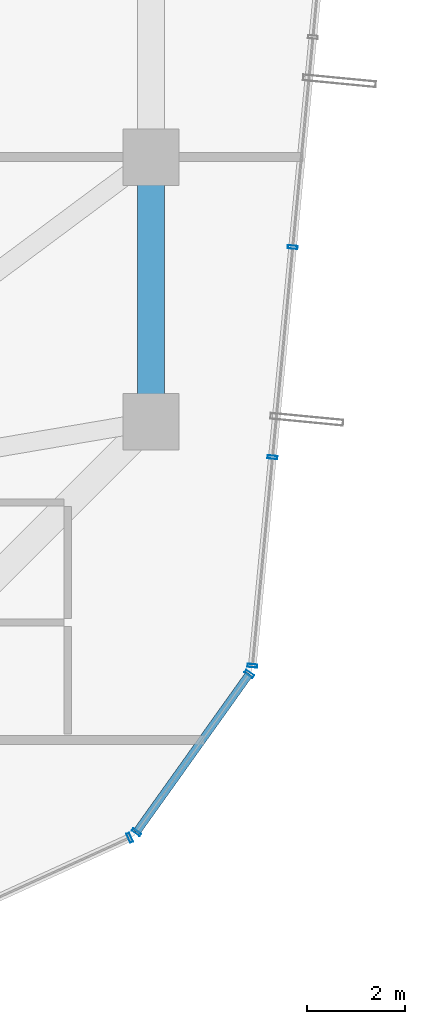
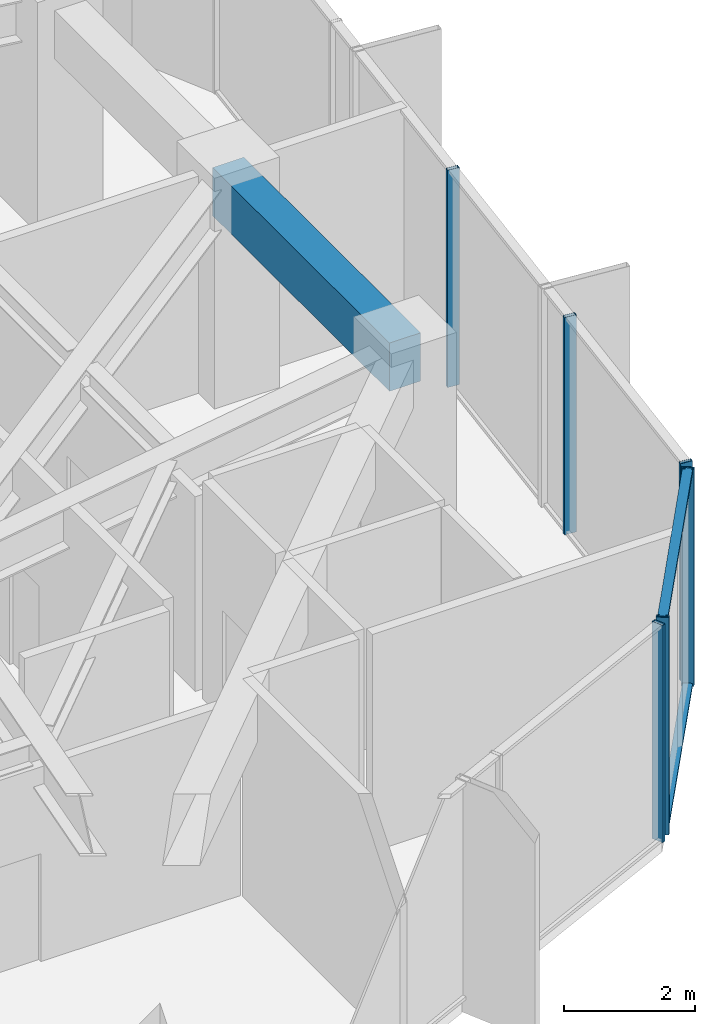
# One storey, part 12 of 25: 8 members, 1 beam, 3 elements without a shape of their own.
"""IFC4 building model written with IfcOpenShell, lengths in metres."""

from ifc_helpers import new_model, si_unit, direction, frame, origin, origin_2d, place, context, subcontext, project, spatial, rectangle, hollow_rectangle, extrude, source, transform, mapped, material, layer, layer_set, material_profile, profile_set, type_object, element, aggregate, save


model = new_model("IFC4")

# Units and contexts
model_context = context("Model", 3, precision=1e-05, world=origin(), true_north=direction((0.0, 1.0)))
body_context = subcontext(model_context, "Body", "Model", "MODEL_VIEW")
ifc_project = project(units=[si_unit("LENGTHUNIT", "METRE"), si_unit("AREAUNIT", "SQUARE_METRE"), si_unit("VOLUMEUNIT", "CUBIC_METRE"), si_unit("PLANEANGLEUNIT", "RADIAN"), si_unit("MASSUNIT", "GRAM", prefix="KILO")], contexts=[model_context])

# Site, building, storey
site_placement = place(None, origin())
site = spatial("IfcSite", under=ifc_project, at=site_placement, CompositionType="ELEMENT")
building_placement = place(site_placement, origin())
building = spatial("IfcBuilding", under=site, at=building_placement, Name="Veraguas Prism Commons", CompositionType="ELEMENT")
storey_placement = place(building_placement, frame((0.0, 0.0, 108.949951171875)))
storey = spatial("IfcBuildingStorey", under=building, at=storey_placement, Name="L30", CompositionType="ELEMENT", Elevation=108.949951171875)

# Beam
ifc_material_1 = material(Name="Concrete C50/60", Category="concrete")
ifc_material_profile_1 = material_profile(ifc_material_1, rectangle(XDim=0.550048828125, YDim=0.89990234375, at=origin_2d()), Name="RC550X900")
ifc_profile_set_1 = profile_set([ifc_material_profile_1], Name="Concrete C50/60")
beam_type = type_object("IfcBeamType", Name="Perimeter Spandrel Lower RC 550x900", PredefinedType="SPANDREL", material=ifc_profile_set_1)
beam_placement = place(storey_placement, frame((40.199951171875, 18.60009765625, 3.60009765625), z_axis=(0.0, 1.0, 0.0), x_axis=(-1.0, 0.0, 0.0)))
element("IfcBeam", 1, at=beam_placement, inside=storey, type_object=beam_type, Name="Perimeter Spandrel Beam L30-SP01", PredefinedType="SPANDREL", context=body_context, shape_type="SweptSolid", body=[
    extrude(rectangle(XDim=0.550048828125, YDim=0.89990234375, at=origin_2d()), origin(), (0.0, 0.0, 1.0), 5.39990234375),
])

# Curtain wall, member
ifc_material_2 = material(Name="Anodised aluminium EN AW-6063 T6", Category="aluminium")
ifc_layer = layer(ifc_material_2, 0.199951171875, Name="Sky Lobby and Pool Acoustic Curtain Wall", Category="aluminium")
ifc_layer_set = layer_set([ifc_layer], Name="Anodised aluminium EN AW-6063 T6")
curtain_wall_type = type_object("IfcCurtainWallType", Name="Sky Lobby and Pool Acoustic Curtain Wall", PredefinedType="NOTDEFINED", material=ifc_layer_set)
curtain_wall_1_placement = place(storey_placement, origin())
curtain_wall_1 = element("IfcCurtainWall", 2, at=curtain_wall_1_placement, inside=storey, type_object=curtain_wall_type, Name="Tower Facade Curtain Wall L30-F5", PredefinedType="NOTDEFINED")
ifc_material_profile_2 = material_profile(ifc_material_2, hollow_rectangle(XDim=0.06494140625, YDim=0.199951171875, WallThickness=0.00390625, at=origin_2d()), Name="AL65X200X4")
ifc_profile_set_2 = profile_set([ifc_material_profile_2], Name="Anodised aluminium EN AW-6063 T6")
member_type_1 = type_object("IfcMemberType", Name="Curtain Wall Mullion Heavy AL 65x200x4", PredefinedType="MULLION", material=ifc_profile_set_2)
shared_shape_1 = source(origin(), body_context, "Body", "SweptSolid", [
    extrude(hollow_rectangle(XDim=0.06494140625, YDim=0.199951171875, WallThickness=0.00390625, at=origin_2d()), origin(), (0.0, 0.0, 1.0), 4.050048828125),
])
member_1_placement = place(storey_placement, frame((39.7666015625, 10.104736328125, 0.0), z_axis=(0.0, 0.0, 1.0), x_axis=(0.909960547099, 0.414694830838, 0.0)))
member_1 = element("IfcMember", 3, at=member_1_placement, type_object=member_type_1, Name="CW-SKY Mullion 5", PredefinedType="MULLION", context=body_context, shape_type="MappedRepresentation", body=[
    mapped(shared_shape_1, transform((0.0, 0.0, 0.0), scale=1.0)),
])
aggregate(curtain_wall_1, [member_1])

# Curtain wall, members
curtain_wall_2_placement = place(storey_placement, origin())
curtain_wall_2 = element("IfcCurtainWall", 4, at=curtain_wall_2_placement, inside=storey, type_object=curtain_wall_type, Name="Tower Facade Curtain Wall L30-F6", PredefinedType="NOTDEFINED")
member_2_placement = place(storey_placement, frame((42.271484375, 13.6162109375, 0.0), z_axis=(0.0, 0.0, 1.0), x_axis=(0.095837066046, 0.995397034741, 0.0)))
member_2 = element("IfcMember", 5, at=member_2_placement, type_object=member_type_1, Name="CW-SKY Mullion 1", PredefinedType="MULLION", context=body_context, shape_type="MappedRepresentation", body=[
    mapped(shared_shape_1, transform((0.0, 0.0, 0.0), scale=1.0)),
])
member_3_placement = place(storey_placement, frame((42.68115234375, 17.87255859375, 0.0), z_axis=(0.0, 0.0, 1.0), x_axis=(0.095837066046, 0.995397034741, 0.0)))
member_3 = element("IfcMember", 6, at=member_3_placement, type_object=member_type_1, Name="CW-SKY Mullion 2", PredefinedType="MULLION", context=body_context, shape_type="MappedRepresentation", body=[
    mapped(shared_shape_1, transform((0.0, 0.0, 0.0), scale=1.0)),
])
member_4_placement = place(storey_placement, frame((43.09423828125, 22.161376953125, 0.0), z_axis=(0.0, 0.0, 1.0), x_axis=(0.095837066046, 0.995397034741, 0.0)))
member_4 = element("IfcMember", 7, at=member_4_placement, type_object=member_type_1, Name="CW-SKY Mullion 3", PredefinedType="MULLION", context=body_context, shape_type="MappedRepresentation", body=[
    mapped(shared_shape_1, transform((0.0, 0.0, 0.0), scale=1.0)),
])
aggregate(curtain_wall_2, [member_2, member_3, member_4])

curtain_wall_3_placement = place(storey_placement, origin())
curtain_wall_3 = element("IfcCurtainWall", 8, at=curtain_wall_3_placement, inside=storey, type_object=curtain_wall_type, Name="Chamfer Curtain Wall L30-C6", PredefinedType="NOTDEFINED")
member_5_placement = place(storey_placement, frame((39.904296875, 10.21826171875, 0.0), z_axis=(0.0, 0.0, 1.0), x_axis=(0.580720006379, 0.814103355964, 0.0)))
member_5 = element("IfcMember", 9, at=member_5_placement, type_object=member_type_1, Name="CW-SKY Mullion 1", PredefinedType="MULLION", context=body_context, shape_type="MappedRepresentation", body=[
    mapped(shared_shape_1, transform((0.0, 0.0, 0.0), scale=1.0)),
])
member_6_placement = place(storey_placement, frame((42.208740234375, 13.448974609375, 0.0), z_axis=(0.0, 0.0, 1.0), x_axis=(0.580720006379, 0.814103355964, 0.0)))
member_6 = element("IfcMember", 10, at=member_6_placement, type_object=member_type_1, Name="CW-SKY Mullion 2", PredefinedType="MULLION", context=body_context, shape_type="MappedRepresentation", body=[
    mapped(shared_shape_1, transform((0.0, 0.0, 0.0), scale=1.0)),
])
ifc_material_profile_3 = material_profile(ifc_material_2, hollow_rectangle(XDim=0.06005859375, YDim=0.159912109375, WallThickness=0.0029296875, at=origin_2d()), Name="AL60X160X3")
ifc_profile_set_3 = profile_set([ifc_material_profile_3], Name="Anodised aluminium EN AW-6063 T6")
member_type_2 = type_object("IfcMemberType", Name="Curtain Wall Transom Heavy AL 60x160x3", PredefinedType="USERDEFINED", material=ifc_profile_set_3)
shared_shape_2 = source(origin(), body_context, "Body", "SweptSolid", [
    extrude(hollow_rectangle(XDim=0.06005859375, YDim=0.159912109375, WallThickness=0.0029296875, at=origin_2d()), origin(), (0.0, 0.0, 1.0), 3.96826171875),
])
member_7_placement = place(storey_placement, frame((39.904296875, 10.21826171875, 0.030029296875), z_axis=(0.580702663453, 0.814115726822, 0.0), x_axis=(0.0, 0.0, 1.0)))
member_7 = element("IfcMember", 11, at=member_7_placement, type_object=member_type_2, Name="CW-SKY Transom 1", ObjectType="TRANSOM", PredefinedType="USERDEFINED", context=body_context, shape_type="MappedRepresentation", body=[
    mapped(shared_shape_2, transform((0.0, 0.0, 0.0), scale=1.0)),
])
member_8_placement = place(storey_placement, frame((39.904296875, 10.21826171875, 4.02001953125), z_axis=(0.580702663453, 0.814115726822, 0.0), x_axis=(0.0, 0.0, 1.0)))
member_8 = element("IfcMember", 12, at=member_8_placement, type_object=member_type_2, Name="CW-SKY Transom 2", ObjectType="TRANSOM", PredefinedType="USERDEFINED", context=body_context, shape_type="MappedRepresentation", body=[
    mapped(shared_shape_2, transform((0.0, 0.0, 0.0), scale=1.0)),
])
aggregate(curtain_wall_3, [member_5, member_6, member_7, member_8])

save(model, "model.ifc")
